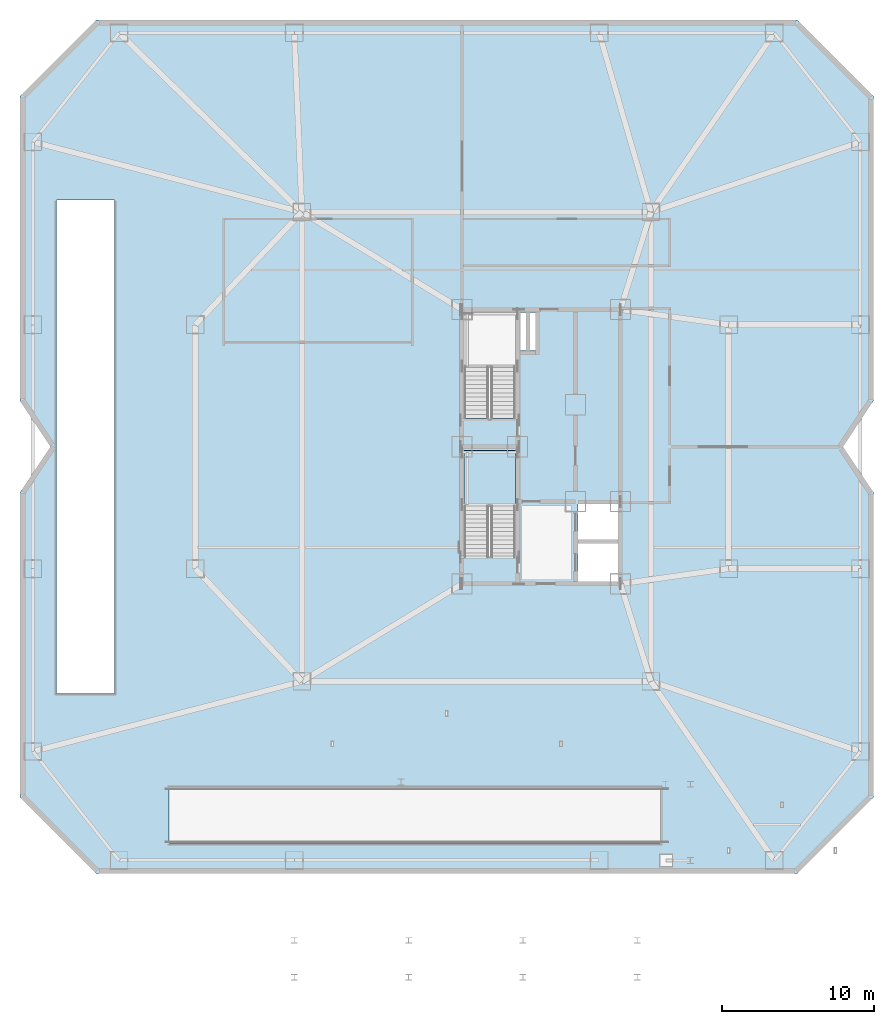
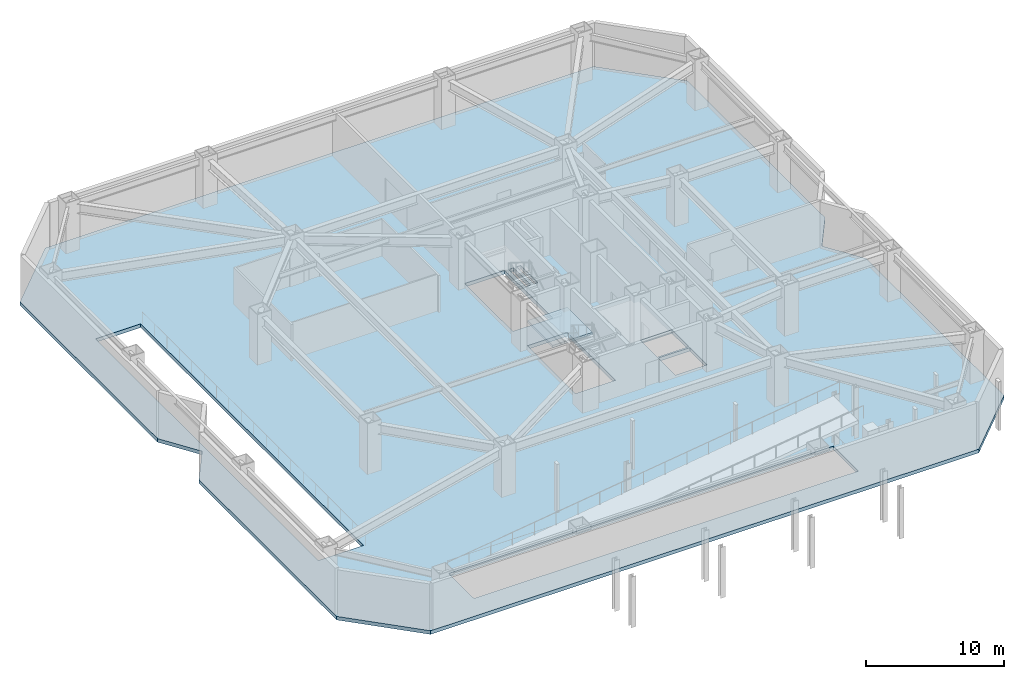
# One storey, part 7 of 14: 2 slabs, 1 element without a shape of its own.
"""IFC4 building model written with IfcOpenShell, lengths in metres."""

from ifc_helpers import new_model, si_unit, direction, frame, origin, place, context, subcontext, project, spatial, polyline, outline, extrude, material, layer, layer_set, type_object, element, aggregate, save


model = new_model("IFC4")

# Units and contexts
model_context = context("Model", 3, precision=1e-05, world=origin(), true_north=direction((0.0, 1.0)))
body_context = subcontext(model_context, "Body", "Model", "MODEL_VIEW")
ifc_project = project(units=[si_unit("LENGTHUNIT", "METRE"), si_unit("AREAUNIT", "SQUARE_METRE"), si_unit("VOLUMEUNIT", "CUBIC_METRE"), si_unit("PLANEANGLEUNIT", "RADIAN"), si_unit("MASSUNIT", "GRAM", prefix="KILO")], contexts=[model_context])

# Site, building, storey
site_placement = place(None, origin())
site = spatial("IfcSite", under=ifc_project, at=site_placement, CompositionType="ELEMENT")
building_placement = place(site_placement, origin())
building = spatial("IfcBuilding", under=site, at=building_placement, Name="Khamvora Tower", CompositionType="ELEMENT")
storey_placement = place(building_placement, frame((0.0, 0.0, -4.5)))
storey = spatial("IfcBuildingStorey", under=building, at=storey_placement, Name="B1", CompositionType="ELEMENT", Elevation=-4.5)

# Stair, slab
ifc_material = material(Name="Concrete C40/50", Category="concrete")
stair_type = type_object("IfcStairType", Name="STR-ST-01", PredefinedType="HALF_TURN_STAIR", material=ifc_material)
stair_placement = place(storey_placement, origin())
stair = element("IfcStair", 1, at=stair_placement, inside=storey, type_object=stair_type, Name="B1 South Tower Exit Stair ST-01", PredefinedType="HALF_TURN_STAIR")
ifc_layer_1 = layer(ifc_material, 0.199951171875)
ifc_layer_set_1 = layer_set([ifc_layer_1], Name="Concrete C40/50")
slab_type_1 = type_object("IfcSlabType", Name="SLB-LND-200", PredefinedType="LANDING", material=ifc_layer_set_1)
slab_1_placement = place(storey_placement, frame((0.0, 0.0, 2.050048828125)))
slab_1 = element("IfcSlab", 2, at=slab_1_placement, type_object=slab_type_1, Name="ST-01 landing 1", PredefinedType="LANDING", context=body_context, shape_type="SweptSolid", body=[
    extrude(outline(polyline([(32.5, 24.074951171875), (32.5, 27.75), (29.14990234375, 27.75), (29.14990234375, 24.074951171875), (32.5, 24.074951171875)])), origin(), (0.0, 0.0, 1.0), 0.199951171875),
])
aggregate(stair, [slab_1])

# Slab
ifc_layer_2 = layer(ifc_material, 0.320068359375)
ifc_layer_set_2 = layer_set([ifc_layer_2], Name="Concrete C40/50")
slab_type_2 = type_object("IfcSlabType", Name="SLB-TRN-320", PredefinedType="FLOOR", material=ifc_layer_set_2)
slab_2_placement = place(storey_placement, frame((0.0, 0.0, -0.320068359375)))
element("IfcSlab", 3, at=slab_2_placement, inside=storey, type_object=slab_type_2, Name="B1 structural floor slab", PredefinedType="FLOOR", context=body_context, shape_type="SweptSolid", body=[
    extrude(outline(polyline([(5.0, 0.0), (51.0, 0.0), (56.0, 5.0), (56.0, 25.0), (54.0, 28.0), (56.0, 31.0), (56.0, 51.0), (51.0, 56.0), (5.0, 56.0), (0.0, 51.0), (0.0, 31.0), (2.0, 28.0), (0.0, 25.0), (0.0, 5.0), (5.0, 0.0)]), holes=[polyline([(32.5, 20.760009765625), (32.5, 27.75), (29.14990234375, 27.75), (29.14990234375, 20.760009765625), (32.5, 20.760009765625)]), polyline([(32.5, 29.860107421875), (32.5, 36.85009765625), (29.14990234375, 36.85009765625), (29.14990234375, 29.860107421875), (32.5, 29.860107421875)]), polyline([(36.60009765625, 19.14990234375), (39.25, 19.14990234375), (39.25, 21.64990234375), (36.60009765625, 21.64990234375), (36.60009765625, 19.14990234375)]), polyline([(36.60009765625, 21.800048828125), (39.25, 21.800048828125), (39.25, 24.25), (36.60009765625, 24.25), (36.60009765625, 21.800048828125)]), polyline([(32.800048828125, 34.300048828125), (33.199951171875, 34.300048828125), (33.199951171875, 36.800048828125), (32.800048828125, 36.800048828125), (32.800048828125, 34.300048828125)]), polyline([(33.47998046875, 34.300048828125), (33.820068359375, 34.300048828125), (33.820068359375, 36.800048828125), (33.47998046875, 36.800048828125), (33.47998046875, 34.300048828125)]), polyline([(2.39990234375, 11.800048828125), (6.199951171875, 11.800048828125), (6.199951171875, 44.199951171875), (2.39990234375, 44.199951171875), (2.39990234375, 11.800048828125)]), polyline([(9.780029296875, 1.97998046875), (42.0400390625, 1.97998046875), (42.0400390625, 5.6201171875), (9.780029296875, 5.6201171875), (9.780029296875, 1.97998046875)])]), origin(), (0.0, 0.0, 1.0), 0.320068359375),
])

save(model, "model.ifc")
